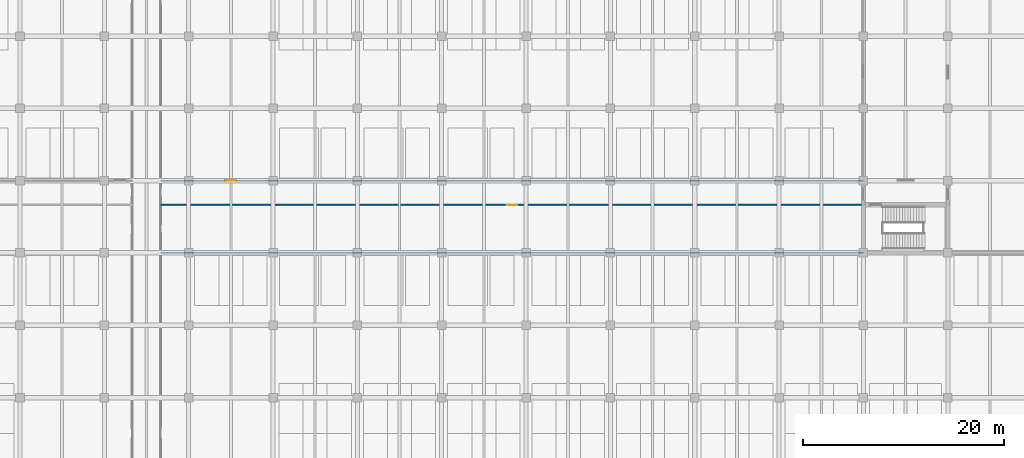
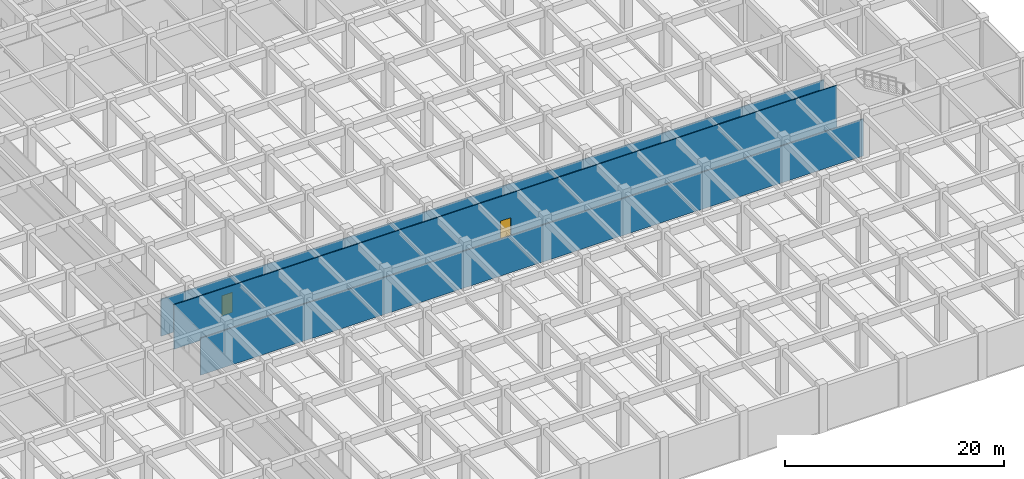
# One storey, part 18 of 48: 3 walls, 2 doors, 2 openings.
"""IFC4 building model written with IfcOpenShell, lengths in metres."""

from ifc_helpers import new_model, si_unit, direction, frame, frame_2d, origin, place, context, subcontext, project, spatial, rectangle, extrude, material, layer, layer_set, type_object, element, fill, save


model = new_model("IFC4")

# Units and contexts
model_context = context("Model", 3, precision=1e-05, world=origin(), true_north=direction((0.0, 1.0)))
body_context = subcontext(model_context, "Body", "Model", "MODEL_VIEW")
ifc_project = project(units=[si_unit("LENGTHUNIT", "METRE"), si_unit("AREAUNIT", "SQUARE_METRE"), si_unit("VOLUMEUNIT", "CUBIC_METRE"), si_unit("PLANEANGLEUNIT", "RADIAN"), si_unit("MASSUNIT", "GRAM", prefix="KILO")], contexts=[model_context])

# Site, building, storey
site_placement = place(None, origin())
site = spatial("IfcSite", under=ifc_project, at=site_placement, CompositionType="ELEMENT")
building_placement = place(site_placement, origin())
building = spatial("IfcBuilding", under=site, at=building_placement, Name="Chengyuan Square Courthouse", CompositionType="ELEMENT")
storey_placement = place(building_placement, frame((0.0, 0.0, -5.39990234375)))
storey = spatial("IfcBuildingStorey", under=building, at=storey_placement, Name="B01", CompositionType="ELEMENT", Elevation=-5.39990234375)

# Wall
ifc_material_1 = material(Name="Gypsum Plasterboard Acoustic Stud Partition")
ifc_layer = layer(ifc_material_1, 0.10009765625)
ifc_layer_set = layer_set([ifc_layer], Name="Gypsum Plasterboard Acoustic Stud Partition")
wall_type = type_object("IfcWallType", Name="WL-PT6", PredefinedType="STANDARD", material=ifc_layer_set)
wall_1_placement = place(storey_placement, frame((81.199951171875, 36.0, 0.0), z_axis=(0.0, 0.0, 1.0), x_axis=(1.0, 0.0, 0.0)))
element("IfcWall", 1, at=wall_1_placement, inside=storey, type_object=wall_type, Name="Interior Wall WL-B01-I281", PredefinedType="STANDARD", context=body_context, shape_type="SweptSolid", body=[
    extrude(rectangle(XDim=70.0, YDim=0.10009765625, at=frame_2d((35.0, 0.0))), origin(), (0.0, 0.0, 1.0), 4.1298828125),
])

# Wall, opening, door
wall_2_placement = place(storey_placement, frame((81.199951171875, 40.800048828125, 0.0), z_axis=(0.0, 0.0, 1.0), x_axis=(1.0, 0.0, 0.0)))
wall_2 = element("IfcWall", 2, at=wall_2_placement, inside=storey, type_object=wall_type, Name="Interior Wall WL-B01-I286", PredefinedType="STANDARD", context=body_context, shape_type="SweptSolid", body=[
    extrude(rectangle(XDim=70.0, YDim=0.10009765625, at=frame_2d((35.0, 0.0))), origin(), (0.0, 0.0, 1.0), 4.97998046875),
])
opening_1_placement = place(wall_2_placement, frame((34.4599609375, 0.0, 0.0)))
opening_1 = element("IfcOpeningElement", 3, at=opening_1_placement, cuts=wall_2, Name="Opening DR-652", PredefinedType="OPENING", context=body_context, shape_type="SweptSolid", body=[
    extrude(rectangle(XDim=1.080078125, YDim=2.25, at=frame_2d((0.5400390625, 1.125))), frame((0.0, 0.06201171875, 0.0), z_axis=(0.0, -1.0, 0.0), x_axis=(1.0, 0.0, 0.0)), (0.0, 0.0, 1.0), 0.1240234375),
])
ifc_material_2 = material(Name="Acoustic Solid-Core Timber Door", Category="wood")
door_type_1 = type_object("IfcDoorType", Name="DT-33", OperationType="NOTDEFINED", PredefinedType="DOOR", material=ifc_material_2)
door_1_placement = place(opening_1_placement, origin())
door_1 = element("IfcDoor", 4, at=door_1_placement, inside=storey, type_object=door_type_1, Name="Interior Door DR-652", OperationType="SINGLE_SWING_LEFT", OverallHeight=2.25, OverallWidth=1.080078125, PredefinedType="DOOR", context=body_context, shape_type="SweptSolid", body=[
    extrude(rectangle(XDim=1.080078125, YDim=2.25, at=frame_2d((0.5400390625, 1.125))), frame((0.0, 0.02490234375, 0.0), z_axis=(0.0, -1.0, 0.0), x_axis=(1.0, 0.0, 0.0)), (0.0, 0.0, 1.0), 0.050048828125),
])
fill(opening_1, door_1)

wall_3_placement = place(storey_placement, frame((81.199951171875, 43.199951171875, 0.0), z_axis=(0.0, 0.0, 1.0), x_axis=(1.0, 0.0, 0.0)))
wall_3 = element("IfcWall", 5, at=wall_3_placement, inside=storey, type_object=wall_type, Name="Interior Wall WL-B01-I290", PredefinedType="STANDARD", context=body_context, shape_type="SweptSolid", body=[
    extrude(rectangle(XDim=70.0, YDim=0.10009765625, at=frame_2d((35.0, 0.0))), origin(), (0.0, 0.0, 1.0), 4.1298828125),
])
opening_2_placement = place(wall_3_placement, frame((6.43994140625, 0.0, 0.0)))
opening_2 = element("IfcOpeningElement", 6, at=opening_2_placement, cuts=wall_3, Name="Opening DR-653", PredefinedType="OPENING", context=body_context, shape_type="SweptSolid", body=[
    extrude(rectangle(XDim=1.1201171875, YDim=2.25, at=frame_2d((0.56005859375, 1.125))), frame((0.0, 0.06201171875, 0.0), z_axis=(0.0, -1.0, 0.0), x_axis=(1.0, 0.0, 0.0)), (0.0, 0.0, 1.0), 0.1240234375),
])
door_type_2 = type_object("IfcDoorType", Name="DT-34", OperationType="NOTDEFINED", PredefinedType="DOOR", material=ifc_material_2)
door_2_placement = place(opening_2_placement, origin())
door_2 = element("IfcDoor", 7, at=door_2_placement, inside=storey, type_object=door_type_2, Name="Interior Door DR-653", OperationType="SINGLE_SWING_RIGHT", OverallHeight=2.25, OverallWidth=1.1201171875, PredefinedType="DOOR", context=body_context, shape_type="SweptSolid", body=[
    extrude(rectangle(XDim=1.1201171875, YDim=2.25, at=frame_2d((0.56005859375, 1.125))), frame((0.0, 0.02490234375, 0.0), z_axis=(0.0, -1.0, 0.0), x_axis=(1.0, 0.0, 0.0)), (0.0, 0.0, 1.0), 0.050048828125),
])
fill(opening_2, door_2)

save(model, "model.ifc")
